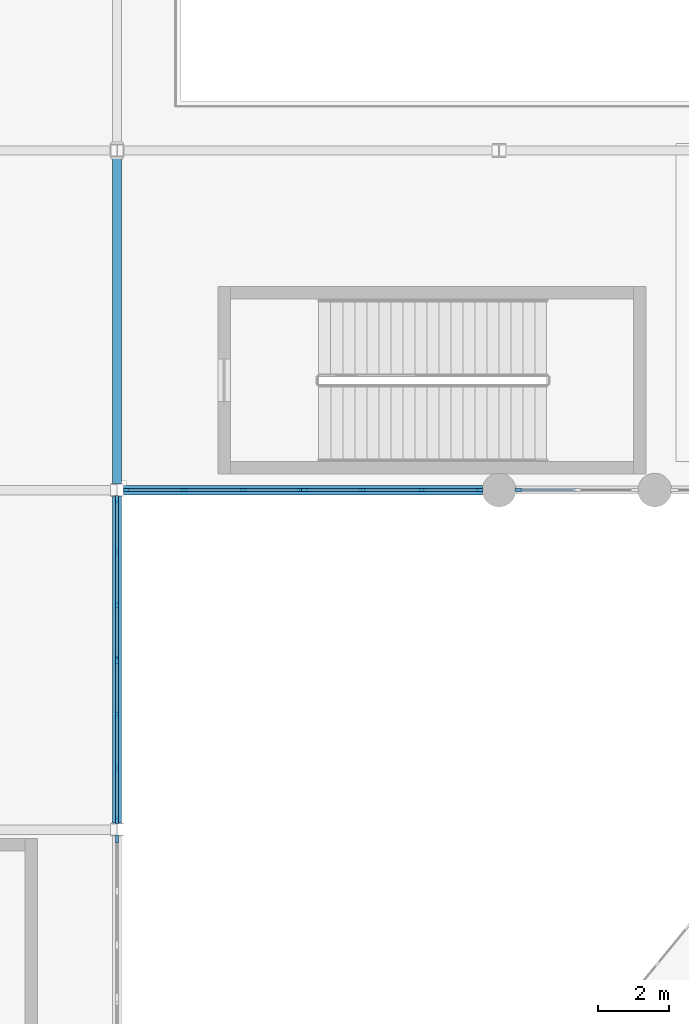
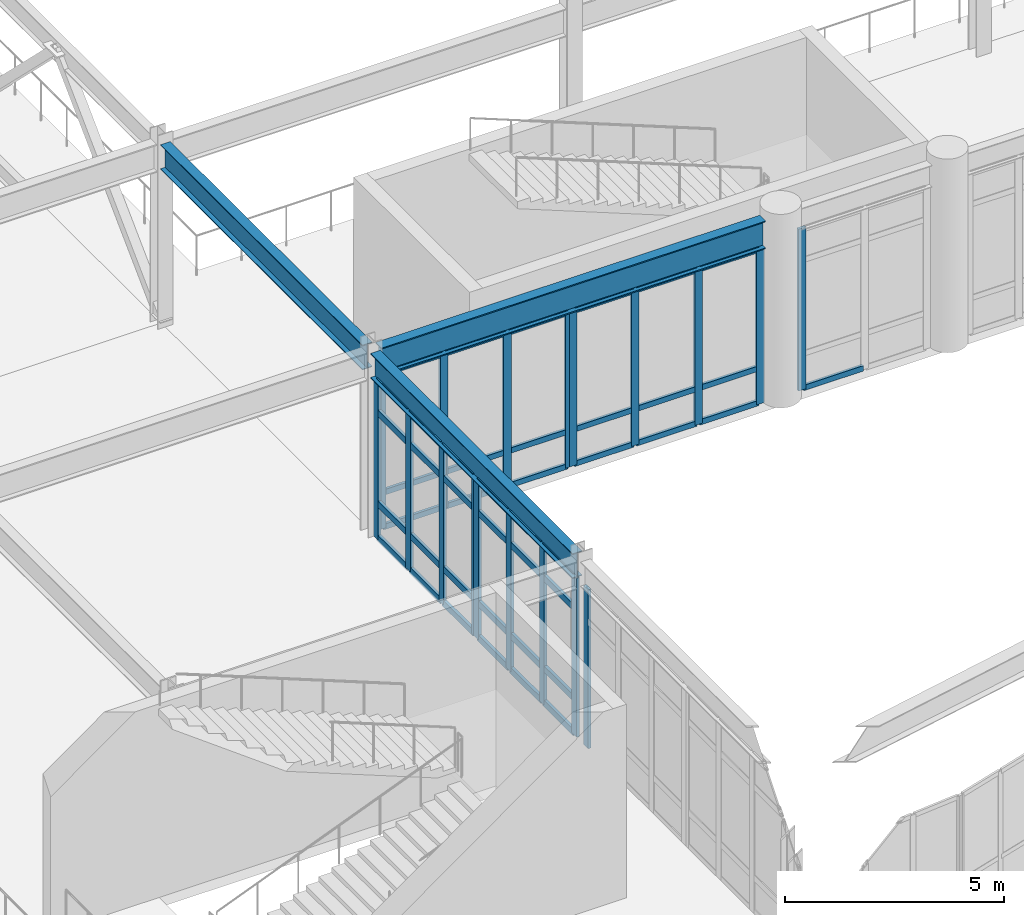
# One storey, part 24 of 72: 61 members, 3 beams, 6 elements without a shape of their own.
"""IFC4 building model written with IfcOpenShell, lengths in metres."""

from ifc_helpers import new_model, si_unit, direction, frame, origin, origin_2d, place, context, subcontext, project, spatial, rectangle, i_section, extrude, material, material_profile, profile_set, type_object, element, aggregate, save


model = new_model("IFC4")

# Units and contexts
model_context = context("Model", 3, precision=1e-05, world=origin(), true_north=direction((0.0, 1.0)))
body_context = subcontext(model_context, "Body", "Model", "MODEL_VIEW")
ifc_project = project(units=[si_unit("LENGTHUNIT", "METRE"), si_unit("AREAUNIT", "SQUARE_METRE"), si_unit("VOLUMEUNIT", "CUBIC_METRE"), si_unit("PLANEANGLEUNIT", "RADIAN"), si_unit("MASSUNIT", "GRAM", prefix="KILO")], contexts=[model_context])

# Site, building, storey
site_placement = place(None, origin())
site = spatial("IfcSite", under=ifc_project, at=site_placement, CompositionType="ELEMENT")
building_placement = place(site_placement, origin())
building = spatial("IfcBuilding", under=site, at=building_placement, Name="Veldera Park Congress Hotel", CompositionType="ELEMENT")
storey_placement = place(building_placement, frame((0.0, 0.0, 5.39990234375)))
storey = spatial("IfcBuildingStorey", under=building, at=storey_placement, Name="L01", CompositionType="ELEMENT", Elevation=5.39990234375)

# Beams
ifc_material_1 = material(Name="Steel ASTM A992 Gr.50", Category="steel")
ifc_material_profile_1 = material_profile(ifc_material_1, i_section(OverallWidth=0.256103515625, OverallDepth=0.693115234375, WebThickness=0.014404296875, FlangeThickness=0.023681640625, at=origin_2d()), Name="W27X114")
ifc_profile_set_1 = profile_set([ifc_material_profile_1], Name="Steel ASTM A992 Gr.50")
beam_type_1 = type_object("IfcBeamType", Name="BM-W27", PredefinedType="BEAM", material=ifc_profile_set_1)
beam_1_placement = place(storey_placement, frame((-1.60009765625, 7.986083984375, 4.78369140625), z_axis=(0.0, 1.0, 0.0), x_axis=(-1.0, 0.0, 0.0)))
element("IfcBeam", 1, at=beam_1_placement, inside=storey, type_object=beam_type_1, Name="L01 Girder BM-W27 703", PredefinedType="BEAM", context=body_context, shape_type="SweptSolid", body=[
    extrude(i_section(OverallWidth=0.256103515625, OverallDepth=0.693115234375, WebThickness=0.014404296875, FlangeThickness=0.023681640625, at=origin_2d()), origin(), (0.0, 0.0, 1.0), 9.22802734375),
])
beam_2_placement = place(storey_placement, frame((-1.60009765625, 17.5859375, 4.78369140625), z_axis=(0.0, 1.0, 0.0), x_axis=(-1.0, 0.0, 0.0)))
element("IfcBeam", 2, at=beam_2_placement, inside=storey, type_object=beam_type_1, Name="L01 Girder BM-W27 704", PredefinedType="BEAM", context=body_context, shape_type="SweptSolid", body=[
    extrude(i_section(OverallWidth=0.256103515625, OverallDepth=0.693115234375, WebThickness=0.014404296875, FlangeThickness=0.023681640625, at=origin_2d()), origin(), (0.0, 0.0, 1.0), 9.2265625),
])
ifc_material_profile_2 = material_profile(ifc_material_1, i_section(OverallWidth=0.26708984375, OverallDepth=0.779052734375, WebThickness=0.0166015625, FlangeThickness=0.030029296875, at=origin_2d()), Name="W30X148")
ifc_profile_set_2 = profile_set([ifc_material_profile_2], Name="Steel ASTM A992 Gr.50")
beam_type_2 = type_object("IfcBeamType", Name="BM-W30", PredefinedType="BEAM", material=ifc_profile_set_2)
beam_3_placement = place(storey_placement, frame((-1.4130859375, 17.39990234375, 4.740478515625), z_axis=(1.0, 0.0, 0.0), x_axis=(0.0, 1.0, 0.0)))
element("IfcBeam", 3, at=beam_3_placement, inside=storey, type_object=beam_type_2, Name="L01 Girder BM-W30 599", PredefinedType="BEAM", context=body_context, shape_type="SweptSolid", body=[
    extrude(i_section(OverallWidth=0.26708984375, OverallDepth=0.779052734375, WebThickness=0.0166015625, FlangeThickness=0.030029296875, at=origin_2d()), origin(), (0.0, 0.0, 1.0), 10.13818359375),
])

# Curtain wall, members
ifc_material_2 = material(Name="Low-E Triple Insulating Glass Unit (SHGC 0.22)", Category="glass")
curtain_wall_type = type_object("IfcCurtainWallType", Name="CW-POD", PredefinedType="NOTDEFINED", material=ifc_material_2)
curtain_wall_1_placement = place(storey_placement, origin())
curtain_wall_1 = element("IfcCurtainWall", 4, at=curtain_wall_1_placement, inside=storey, type_object=curtain_wall_type, Name="L01 Curtain Wall CW3-V2S-L01-029", PredefinedType="NOTDEFINED")
ifc_material_3 = material(Name="Anodised Aluminium Alloy 6063-T6", Category="aluminium")
ifc_material_profile_3 = material_profile(ifc_material_3, rectangle(XDim=0.074951171875, YDim=0.199951171875, at=origin_2d()), Name="ALU 75x200")
ifc_profile_set_3 = profile_set([ifc_material_profile_3], Name="Anodised Aluminium Alloy 6063-T6")
member_type_1 = type_object("IfcMemberType", Name="CWM-200", PredefinedType="MULLION", material=ifc_profile_set_3)
member_1_placement = place(storey_placement, frame((-1.33544921875, 17.39990234375, 0.0), z_axis=(0.0, 0.0, 1.0), x_axis=(0.0, 1.0, 0.0)))
member_1 = element("IfcMember", 5, at=member_1_placement, type_object=member_type_1, Name="CW-POD mullion 1", PredefinedType="MULLION", context=body_context, shape_type="SweptSolid", body=[
    extrude(rectangle(XDim=0.074951171875, YDim=0.199951171875, at=origin_2d()), origin(), (0.0, 0.0, 1.0), 4.34619140625),
])
member_2_placement = place(storey_placement, frame((0.29833984375, 17.39990234375, 0.0), z_axis=(0.0, 0.0, 1.0), x_axis=(0.0, 1.0, 0.0)))
member_2 = element("IfcMember", 6, at=member_2_placement, type_object=member_type_1, Name="CW-POD mullion 2", PredefinedType="MULLION", context=body_context, shape_type="SweptSolid", body=[
    extrude(rectangle(XDim=0.074951171875, YDim=0.199951171875, at=origin_2d()), origin(), (0.0, 0.0, 1.0), 4.34619140625),
])
member_3_placement = place(storey_placement, frame((1.9697265625, 17.39990234375, 0.0), z_axis=(0.0, 0.0, 1.0), x_axis=(0.0, 1.0, 0.0)))
member_3 = element("IfcMember", 7, at=member_3_placement, type_object=member_type_1, Name="CW-POD mullion 3", PredefinedType="MULLION", context=body_context, shape_type="SweptSolid", body=[
    extrude(rectangle(XDim=0.074951171875, YDim=0.199951171875, at=origin_2d()), origin(), (0.0, 0.0, 1.0), 4.34619140625),
])
member_4_placement = place(storey_placement, frame((3.603515625, 17.39990234375, 0.0), z_axis=(0.0, 0.0, 1.0), x_axis=(0.0, 1.0, 0.0)))
member_4 = element("IfcMember", 8, at=member_4_placement, type_object=member_type_1, Name="CW-POD mullion 4", PredefinedType="MULLION", context=body_context, shape_type="SweptSolid", body=[
    extrude(rectangle(XDim=0.074951171875, YDim=0.199951171875, at=origin_2d()), origin(), (0.0, 0.0, 1.0), 4.34619140625),
])

curtain_wall_2_placement = place(storey_placement, origin())
curtain_wall_2 = element("IfcCurtainWall", 9, at=curtain_wall_2_placement, inside=storey, type_object=curtain_wall_type, Name="L01 Curtain Wall CW3-V2S-L01-030", PredefinedType="NOTDEFINED")
member_5_placement = place(storey_placement, frame((3.70849609375, 17.39990234375, 0.0), z_axis=(0.0, 0.0, 1.0), x_axis=(0.0, 1.0, 0.0)))
member_5 = element("IfcMember", 10, at=member_5_placement, type_object=member_type_1, Name="CW-POD mullion 1", PredefinedType="MULLION", context=body_context, shape_type="SweptSolid", body=[
    extrude(rectangle(XDim=0.074951171875, YDim=0.199951171875, at=origin_2d()), origin(), (0.0, 0.0, 1.0), 4.34619140625),
])
member_6_placement = place(storey_placement, frame((5.34228515625, 17.39990234375, 0.0), z_axis=(0.0, 0.0, 1.0), x_axis=(0.0, 1.0, 0.0)))
member_6 = element("IfcMember", 11, at=member_6_placement, type_object=member_type_1, Name="CW-POD mullion 2", PredefinedType="MULLION", context=body_context, shape_type="SweptSolid", body=[
    extrude(rectangle(XDim=0.074951171875, YDim=0.199951171875, at=origin_2d()), origin(), (0.0, 0.0, 1.0), 4.34619140625),
])
member_7_placement = place(storey_placement, frame((7.013671875, 17.39990234375, 0.0), z_axis=(0.0, 0.0, 1.0), x_axis=(0.0, 1.0, 0.0)))
member_7 = element("IfcMember", 12, at=member_7_placement, type_object=member_type_1, Name="CW-POD mullion 3", PredefinedType="MULLION", context=body_context, shape_type="SweptSolid", body=[
    extrude(rectangle(XDim=0.074951171875, YDim=0.199951171875, at=origin_2d()), origin(), (0.0, 0.0, 1.0), 4.34619140625),
])
member_8_placement = place(storey_placement, frame((8.6474609375, 17.39990234375, 0.0), z_axis=(0.0, 0.0, 1.0), x_axis=(0.0, 1.0, 0.0)))
member_8 = element("IfcMember", 13, at=member_8_placement, type_object=member_type_1, Name="CW-POD mullion 4", PredefinedType="MULLION", context=body_context, shape_type="SweptSolid", body=[
    extrude(rectangle(XDim=0.074951171875, YDim=0.199951171875, at=origin_2d()), origin(), (0.0, 0.0, 1.0), 4.34619140625),
])

# Curtain wall, member
curtain_wall_3_placement = place(storey_placement, origin())
curtain_wall_3 = element("IfcCurtainWall", 14, at=curtain_wall_3_placement, inside=storey, type_object=curtain_wall_type, Name="L01 Curtain Wall CW3-V2S-L01-031", PredefinedType="NOTDEFINED")
member_9_placement = place(storey_placement, frame((9.75244140625, 17.39990234375, 0.0), z_axis=(0.0, 0.0, 1.0), x_axis=(0.0, 1.0, 0.0)))
member_9 = element("IfcMember", 15, at=member_9_placement, type_object=member_type_1, Name="CW-POD mullion 1", PredefinedType="MULLION", context=body_context, shape_type="SweptSolid", body=[
    extrude(rectangle(XDim=0.074951171875, YDim=0.199951171875, at=origin_2d()), origin(), (0.0, 0.0, 1.0), 4.51318359375),
])

curtain_wall_4_placement = place(storey_placement, origin())
curtain_wall_4 = element("IfcCurtainWall", 16, at=curtain_wall_4_placement, inside=storey, type_object=curtain_wall_type, Name="L01 Curtain Wall CW3-V1E-L01-026", PredefinedType="NOTDEFINED")
ifc_material_profile_4 = material_profile(ifc_material_3, rectangle(XDim=0.080078125, YDim=0.219970703125, at=origin_2d()), Name="ALU 80x220")
ifc_profile_set_4 = profile_set([ifc_material_profile_4], Name="Anodised Aluminium Alloy 6063-T6")
member_type_2 = type_object("IfcMemberType", Name="CWM-220", PredefinedType="MULLION", material=ifc_profile_set_4)
member_10_placement = place(storey_placement, frame((-1.60009765625, 7.533935546875, 0.0), z_axis=(0.0, 0.0, 1.0), x_axis=(-1.0, 0.0, 0.0)))
member_10 = element("IfcMember", 17, at=member_10_placement, type_object=member_type_2, Name="CW-POD mullion 4", PredefinedType="MULLION", context=body_context, shape_type="SweptSolid", body=[
    extrude(rectangle(XDim=0.080078125, YDim=0.219970703125, at=origin_2d()), origin(), (0.0, 0.0, 1.0), 4.43212890625),
])
aggregate(curtain_wall_4, [member_10])

# Curtain wall, members
curtain_wall_5_placement = place(storey_placement, origin())
curtain_wall_5 = element("IfcCurtainWall", 18, at=curtain_wall_5_placement, inside=storey, type_object=curtain_wall_type, Name="L01 Curtain Wall CW3-V1E-L01-027", PredefinedType="NOTDEFINED")
member_11_placement = place(storey_placement, frame((-1.60009765625, 8.06591796875, 0.0), z_axis=(0.0, 0.0, 1.0), x_axis=(-1.0, 0.0, 0.0)))
member_11 = element("IfcMember", 19, at=member_11_placement, type_object=member_type_2, Name="CW-POD mullion 1", PredefinedType="MULLION", context=body_context, shape_type="SweptSolid", body=[
    extrude(rectangle(XDim=0.080078125, YDim=0.219970703125, at=origin_2d()), origin(), (0.0, 0.0, 1.0), 4.43212890625),
])
member_12_placement = place(storey_placement, frame((-1.60009765625, 9.545654296875, 0.0), z_axis=(0.0, 0.0, 1.0), x_axis=(-1.0, 0.0, 0.0)))
member_12 = element("IfcMember", 20, at=member_12_placement, type_object=member_type_2, Name="CW-POD mullion 2", PredefinedType="MULLION", context=body_context, shape_type="SweptSolid", body=[
    extrude(rectangle(XDim=0.080078125, YDim=0.219970703125, at=origin_2d()), origin(), (0.0, 0.0, 1.0), 4.43212890625),
])
member_13_placement = place(storey_placement, frame((-1.60009765625, 11.0654296875, 0.0), z_axis=(0.0, 0.0, 1.0), x_axis=(-1.0, 0.0, 0.0)))
member_13 = element("IfcMember", 21, at=member_13_placement, type_object=member_type_2, Name="CW-POD mullion 3", PredefinedType="MULLION", context=body_context, shape_type="SweptSolid", body=[
    extrude(rectangle(XDim=0.080078125, YDim=0.219970703125, at=origin_2d()), origin(), (0.0, 0.0, 1.0), 4.43212890625),
])
member_14_placement = place(storey_placement, frame((-1.60009765625, 12.544921875, 0.0), z_axis=(0.0, 0.0, 1.0), x_axis=(-1.0, 0.0, 0.0)))
member_14 = element("IfcMember", 22, at=member_14_placement, type_object=member_type_2, Name="CW-POD mullion 4", PredefinedType="MULLION", context=body_context, shape_type="SweptSolid", body=[
    extrude(rectangle(XDim=0.080078125, YDim=0.219970703125, at=origin_2d()), origin(), (0.0, 0.0, 1.0), 4.43212890625),
])

curtain_wall_6_placement = place(storey_placement, origin())
curtain_wall_6 = element("IfcCurtainWall", 23, at=curtain_wall_6_placement, inside=storey, type_object=curtain_wall_type, Name="L01 Curtain Wall CW3-V1E-L01-028", PredefinedType="NOTDEFINED")
member_15_placement = place(storey_placement, frame((-1.60009765625, 12.655029296875, 0.0), z_axis=(0.0, 0.0, 1.0), x_axis=(-1.0, 0.0, 0.0)))
member_15 = element("IfcMember", 24, at=member_15_placement, type_object=member_type_2, Name="CW-POD mullion 1", PredefinedType="MULLION", context=body_context, shape_type="SweptSolid", body=[
    extrude(rectangle(XDim=0.080078125, YDim=0.219970703125, at=origin_2d()), origin(), (0.0, 0.0, 1.0), 4.43212890625),
])
member_16_placement = place(storey_placement, frame((-1.60009765625, 14.134765625, 0.0), z_axis=(0.0, 0.0, 1.0), x_axis=(-1.0, 0.0, 0.0)))
member_16 = element("IfcMember", 25, at=member_16_placement, type_object=member_type_2, Name="CW-POD mullion 2", PredefinedType="MULLION", context=body_context, shape_type="SweptSolid", body=[
    extrude(rectangle(XDim=0.080078125, YDim=0.219970703125, at=origin_2d()), origin(), (0.0, 0.0, 1.0), 4.43212890625),
])
member_17_placement = place(storey_placement, frame((-1.60009765625, 15.654296875, 0.0), z_axis=(0.0, 0.0, 1.0), x_axis=(-1.0, 0.0, 0.0)))
member_17 = element("IfcMember", 26, at=member_17_placement, type_object=member_type_2, Name="CW-POD mullion 3", PredefinedType="MULLION", context=body_context, shape_type="SweptSolid", body=[
    extrude(rectangle(XDim=0.080078125, YDim=0.219970703125, at=origin_2d()), origin(), (0.0, 0.0, 1.0), 4.43212890625),
])
member_18_placement = place(storey_placement, frame((-1.60009765625, 17.134033203125, 0.0), z_axis=(0.0, 0.0, 1.0), x_axis=(-1.0, 0.0, 0.0)))
member_18 = element("IfcMember", 27, at=member_18_placement, type_object=member_type_2, Name="CW-POD mullion 4", PredefinedType="MULLION", context=body_context, shape_type="SweptSolid", body=[
    extrude(rectangle(XDim=0.080078125, YDim=0.219970703125, at=origin_2d()), origin(), (0.0, 0.0, 1.0), 4.43212890625),
])

# Member
ifc_material_profile_5 = material_profile(ifc_material_3, rectangle(XDim=0.074951171875, YDim=0.14990234375, at=origin_2d()), Name="ALU 75x150")
ifc_profile_set_5 = profile_set([ifc_material_profile_5], Name="Anodised Aluminium Alloy 6063-T6")
member_type_3 = type_object("IfcMemberType", Name="CWT-150", PredefinedType="USERDEFINED", material=ifc_profile_set_5)
member_19_placement = place(storey_placement, frame((-1.298095703125, 17.39990234375, 0.03759765625), z_axis=(1.0, 0.0, 0.0), x_axis=(0.0, 1.0, 0.0)))
member_19 = element("IfcMember", 28, at=member_19_placement, type_object=member_type_3, Name="CW-POD transom 1.1", ObjectType="TRANSOM", PredefinedType="USERDEFINED", context=body_context, shape_type="SweptSolid", body=[
    extrude(rectangle(XDim=0.074951171875, YDim=0.14990234375, at=origin_2d()), origin(), (0.0, 0.0, 1.0), 1.558837890625),
])

member_20_placement = place(storey_placement, frame((-1.298095703125, 17.39990234375, 1.0), z_axis=(1.0, 0.0, 0.0), x_axis=(0.0, 1.0, 0.0)))
member_20 = element("IfcMember", 29, at=member_20_placement, type_object=member_type_3, Name="CW-POD transom 1.2", ObjectType="TRANSOM", PredefinedType="USERDEFINED", context=body_context, shape_type="SweptSolid", body=[
    extrude(rectangle(XDim=0.074951171875, YDim=0.14990234375, at=origin_2d()), origin(), (0.0, 0.0, 1.0), 1.558837890625),
])

member_21_placement = place(storey_placement, frame((-1.298095703125, 17.39990234375, 4.30859375), z_axis=(1.0, 0.0, 0.0), x_axis=(0.0, 1.0, 0.0)))
member_21 = element("IfcMember", 30, at=member_21_placement, type_object=member_type_3, Name="CW-POD transom 1.3", ObjectType="TRANSOM", PredefinedType="USERDEFINED", context=body_context, shape_type="SweptSolid", body=[
    extrude(rectangle(XDim=0.074951171875, YDim=0.14990234375, at=origin_2d()), origin(), (0.0, 0.0, 1.0), 1.558837890625),
])

member_22_placement = place(storey_placement, frame((0.3359375, 17.39990234375, 0.03759765625), z_axis=(1.0, 0.0, 0.0), x_axis=(0.0, 1.0, 0.0)))
member_22 = element("IfcMember", 31, at=member_22_placement, type_object=member_type_3, Name="CW-POD transom 2.1", ObjectType="TRANSOM", PredefinedType="USERDEFINED", context=body_context, shape_type="SweptSolid", body=[
    extrude(rectangle(XDim=0.074951171875, YDim=0.14990234375, at=origin_2d()), origin(), (0.0, 0.0, 1.0), 1.59619140625),
])

member_23_placement = place(storey_placement, frame((0.3359375, 17.39990234375, 1.0), z_axis=(1.0, 0.0, 0.0), x_axis=(0.0, 1.0, 0.0)))
member_23 = element("IfcMember", 32, at=member_23_placement, type_object=member_type_3, Name="CW-POD transom 2.2", ObjectType="TRANSOM", PredefinedType="USERDEFINED", context=body_context, shape_type="SweptSolid", body=[
    extrude(rectangle(XDim=0.074951171875, YDim=0.14990234375, at=origin_2d()), origin(), (0.0, 0.0, 1.0), 1.59619140625),
])

member_24_placement = place(storey_placement, frame((0.3359375, 17.39990234375, 4.30859375), z_axis=(1.0, 0.0, 0.0), x_axis=(0.0, 1.0, 0.0)))
member_24 = element("IfcMember", 33, at=member_24_placement, type_object=member_type_3, Name="CW-POD transom 2.3", ObjectType="TRANSOM", PredefinedType="USERDEFINED", context=body_context, shape_type="SweptSolid", body=[
    extrude(rectangle(XDim=0.074951171875, YDim=0.14990234375, at=origin_2d()), origin(), (0.0, 0.0, 1.0), 1.59619140625),
])

member_25_placement = place(storey_placement, frame((2.007080078125, 17.39990234375, 0.03759765625), z_axis=(1.0, 0.0, 0.0), x_axis=(0.0, 1.0, 0.0)))
member_25 = element("IfcMember", 34, at=member_25_placement, type_object=member_type_3, Name="CW-POD transom 3.1", ObjectType="TRANSOM", PredefinedType="USERDEFINED", context=body_context, shape_type="SweptSolid", body=[
    extrude(rectangle(XDim=0.074951171875, YDim=0.14990234375, at=origin_2d()), origin(), (0.0, 0.0, 1.0), 1.558837890625),
])

member_26_placement = place(storey_placement, frame((2.007080078125, 17.39990234375, 1.0), z_axis=(1.0, 0.0, 0.0), x_axis=(0.0, 1.0, 0.0)))
member_26 = element("IfcMember", 35, at=member_26_placement, type_object=member_type_3, Name="CW-POD transom 3.2", ObjectType="TRANSOM", PredefinedType="USERDEFINED", context=body_context, shape_type="SweptSolid", body=[
    extrude(rectangle(XDim=0.074951171875, YDim=0.14990234375, at=origin_2d()), origin(), (0.0, 0.0, 1.0), 1.558837890625),
])

member_27_placement = place(storey_placement, frame((2.007080078125, 17.39990234375, 4.30859375), z_axis=(1.0, 0.0, 0.0), x_axis=(0.0, 1.0, 0.0)))
member_27 = element("IfcMember", 36, at=member_27_placement, type_object=member_type_3, Name="CW-POD transom 3.3", ObjectType="TRANSOM", PredefinedType="USERDEFINED", context=body_context, shape_type="SweptSolid", body=[
    extrude(rectangle(XDim=0.074951171875, YDim=0.14990234375, at=origin_2d()), origin(), (0.0, 0.0, 1.0), 1.558837890625),
])

aggregate(curtain_wall_1, [member_1, member_2, member_3, member_4, member_19, member_20, member_21, member_22, member_23, member_24, member_25, member_26, member_27])

member_28_placement = place(storey_placement, frame((3.74609375, 17.39990234375, 0.03759765625), z_axis=(1.0, 0.0, 0.0), x_axis=(0.0, 1.0, 0.0)))
member_28 = element("IfcMember", 37, at=member_28_placement, type_object=member_type_3, Name="CW-POD transom 1.1", ObjectType="TRANSOM", PredefinedType="USERDEFINED", context=body_context, shape_type="SweptSolid", body=[
    extrude(rectangle(XDim=0.074951171875, YDim=0.14990234375, at=origin_2d()), origin(), (0.0, 0.0, 1.0), 1.558837890625),
])

member_29_placement = place(storey_placement, frame((3.74609375, 17.39990234375, 1.0), z_axis=(1.0, 0.0, 0.0), x_axis=(0.0, 1.0, 0.0)))
member_29 = element("IfcMember", 38, at=member_29_placement, type_object=member_type_3, Name="CW-POD transom 1.2", ObjectType="TRANSOM", PredefinedType="USERDEFINED", context=body_context, shape_type="SweptSolid", body=[
    extrude(rectangle(XDim=0.074951171875, YDim=0.14990234375, at=origin_2d()), origin(), (0.0, 0.0, 1.0), 1.558837890625),
])

member_30_placement = place(storey_placement, frame((3.74609375, 17.39990234375, 4.30859375), z_axis=(1.0, 0.0, 0.0), x_axis=(0.0, 1.0, 0.0)))
member_30 = element("IfcMember", 39, at=member_30_placement, type_object=member_type_3, Name="CW-POD transom 1.3", ObjectType="TRANSOM", PredefinedType="USERDEFINED", context=body_context, shape_type="SweptSolid", body=[
    extrude(rectangle(XDim=0.074951171875, YDim=0.14990234375, at=origin_2d()), origin(), (0.0, 0.0, 1.0), 1.558837890625),
])

member_31_placement = place(storey_placement, frame((5.3798828125, 17.39990234375, 0.03759765625), z_axis=(1.0, 0.0, 0.0), x_axis=(0.0, 1.0, 0.0)))
member_31 = element("IfcMember", 40, at=member_31_placement, type_object=member_type_3, Name="CW-POD transom 2.1", ObjectType="TRANSOM", PredefinedType="USERDEFINED", context=body_context, shape_type="SweptSolid", body=[
    extrude(rectangle(XDim=0.074951171875, YDim=0.14990234375, at=origin_2d()), origin(), (0.0, 0.0, 1.0), 1.59619140625),
])

member_32_placement = place(storey_placement, frame((5.3798828125, 17.39990234375, 1.0), z_axis=(1.0, 0.0, 0.0), x_axis=(0.0, 1.0, 0.0)))
member_32 = element("IfcMember", 41, at=member_32_placement, type_object=member_type_3, Name="CW-POD transom 2.2", ObjectType="TRANSOM", PredefinedType="USERDEFINED", context=body_context, shape_type="SweptSolid", body=[
    extrude(rectangle(XDim=0.074951171875, YDim=0.14990234375, at=origin_2d()), origin(), (0.0, 0.0, 1.0), 1.59619140625),
])

member_33_placement = place(storey_placement, frame((5.3798828125, 17.39990234375, 4.30859375), z_axis=(1.0, 0.0, 0.0), x_axis=(0.0, 1.0, 0.0)))
member_33 = element("IfcMember", 42, at=member_33_placement, type_object=member_type_3, Name="CW-POD transom 2.3", ObjectType="TRANSOM", PredefinedType="USERDEFINED", context=body_context, shape_type="SweptSolid", body=[
    extrude(rectangle(XDim=0.074951171875, YDim=0.14990234375, at=origin_2d()), origin(), (0.0, 0.0, 1.0), 1.59619140625),
])

member_34_placement = place(storey_placement, frame((7.05126953125, 17.39990234375, 0.03759765625), z_axis=(1.0, 0.0, 0.0), x_axis=(0.0, 1.0, 0.0)))
member_34 = element("IfcMember", 43, at=member_34_placement, type_object=member_type_3, Name="CW-POD transom 3.1", ObjectType="TRANSOM", PredefinedType="USERDEFINED", context=body_context, shape_type="SweptSolid", body=[
    extrude(rectangle(XDim=0.074951171875, YDim=0.14990234375, at=origin_2d()), origin(), (0.0, 0.0, 1.0), 1.558837890625),
])

member_35_placement = place(storey_placement, frame((7.05126953125, 17.39990234375, 1.0), z_axis=(1.0, 0.0, 0.0), x_axis=(0.0, 1.0, 0.0)))
member_35 = element("IfcMember", 44, at=member_35_placement, type_object=member_type_3, Name="CW-POD transom 3.2", ObjectType="TRANSOM", PredefinedType="USERDEFINED", context=body_context, shape_type="SweptSolid", body=[
    extrude(rectangle(XDim=0.074951171875, YDim=0.14990234375, at=origin_2d()), origin(), (0.0, 0.0, 1.0), 1.558837890625),
])

member_36_placement = place(storey_placement, frame((7.05126953125, 17.39990234375, 4.30859375), z_axis=(1.0, 0.0, 0.0), x_axis=(0.0, 1.0, 0.0)))
member_36 = element("IfcMember", 45, at=member_36_placement, type_object=member_type_3, Name="CW-POD transom 3.3", ObjectType="TRANSOM", PredefinedType="USERDEFINED", context=body_context, shape_type="SweptSolid", body=[
    extrude(rectangle(XDim=0.074951171875, YDim=0.14990234375, at=origin_2d()), origin(), (0.0, 0.0, 1.0), 1.558837890625),
])

aggregate(curtain_wall_2, [member_5, member_6, member_7, member_8, member_28, member_29, member_30, member_31, member_32, member_33, member_34, member_35, member_36])

member_37_placement = place(storey_placement, frame((9.7900390625, 17.39990234375, 0.03759765625), z_axis=(1.0, 0.0, 0.0), x_axis=(0.0, 1.0, 0.0)))
member_37 = element("IfcMember", 46, at=member_37_placement, type_object=member_type_3, Name="CW-POD transom 1.1", ObjectType="TRANSOM", PredefinedType="USERDEFINED", context=body_context, shape_type="SweptSolid", body=[
    extrude(rectangle(XDim=0.074951171875, YDim=0.14990234375, at=origin_2d()), origin(), (0.0, 0.0, 1.0), 1.572509765625),
])

aggregate(curtain_wall_3, [member_9, member_37])

ifc_material_profile_6 = material_profile(ifc_material_3, rectangle(XDim=0.080078125, YDim=0.179931640625, at=origin_2d()), Name="ALU 80x180")
ifc_profile_set_6 = profile_set([ifc_material_profile_6], Name="Anodised Aluminium Alloy 6063-T6")
member_type_4 = type_object("IfcMemberType", Name="CWT-180", PredefinedType="USERDEFINED", material=ifc_profile_set_6)
member_38_placement = place(storey_placement, frame((-1.60009765625, 8.10595703125, 0.0400390625), z_axis=(0.0, 1.0, 0.0), x_axis=(-1.0, 0.0, 0.0)))
member_38 = element("IfcMember", 47, at=member_38_placement, type_object=member_type_4, Name="CW-POD transom 1.1", ObjectType="TRANSOM", PredefinedType="USERDEFINED", context=body_context, shape_type="SweptSolid", body=[
    extrude(rectangle(XDim=0.080078125, YDim=0.179931640625, at=origin_2d()), origin(), (0.0, 0.0, 1.0), 1.399658203125),
])

member_39_placement = place(storey_placement, frame((-1.60009765625, 8.10595703125, 1.0), z_axis=(0.0, 1.0, 0.0), x_axis=(-1.0, 0.0, 0.0)))
member_39 = element("IfcMember", 48, at=member_39_placement, type_object=member_type_4, Name="CW-POD transom 1.2", ObjectType="TRANSOM", PredefinedType="USERDEFINED", context=body_context, shape_type="SweptSolid", body=[
    extrude(rectangle(XDim=0.080078125, YDim=0.179931640625, at=origin_2d()), origin(), (0.0, 0.0, 1.0), 1.399658203125),
])

member_40_placement = place(storey_placement, frame((-1.60009765625, 8.10595703125, 3.531982421875), z_axis=(0.0, 1.0, 0.0), x_axis=(-1.0, 0.0, 0.0)))
member_40 = element("IfcMember", 49, at=member_40_placement, type_object=member_type_4, Name="CW-POD transom 1.3", ObjectType="TRANSOM", PredefinedType="USERDEFINED", context=body_context, shape_type="SweptSolid", body=[
    extrude(rectangle(XDim=0.080078125, YDim=0.179931640625, at=origin_2d()), origin(), (0.0, 0.0, 1.0), 1.399658203125),
])

member_41_placement = place(storey_placement, frame((-1.60009765625, 8.10595703125, 4.39208984375), z_axis=(0.0, 1.0, 0.0), x_axis=(-1.0, 0.0, 0.0)))
member_41 = element("IfcMember", 50, at=member_41_placement, type_object=member_type_4, Name="CW-POD transom 1.4", ObjectType="TRANSOM", PredefinedType="USERDEFINED", context=body_context, shape_type="SweptSolid", body=[
    extrude(rectangle(XDim=0.080078125, YDim=0.179931640625, at=origin_2d()), origin(), (0.0, 0.0, 1.0), 1.399658203125),
])

member_42_placement = place(storey_placement, frame((-1.60009765625, 9.585693359375, 0.0400390625), z_axis=(0.0, 1.0, 0.0), x_axis=(-1.0, 0.0, 0.0)))
member_42 = element("IfcMember", 51, at=member_42_placement, type_object=member_type_4, Name="CW-POD transom 2.1", ObjectType="TRANSOM", PredefinedType="USERDEFINED", context=body_context, shape_type="SweptSolid", body=[
    extrude(rectangle(XDim=0.080078125, YDim=0.179931640625, at=origin_2d()), origin(), (0.0, 0.0, 1.0), 1.439697265625),
])

member_43_placement = place(storey_placement, frame((-1.60009765625, 9.585693359375, 1.0), z_axis=(0.0, 1.0, 0.0), x_axis=(-1.0, 0.0, 0.0)))
member_43 = element("IfcMember", 52, at=member_43_placement, type_object=member_type_4, Name="CW-POD transom 2.2", ObjectType="TRANSOM", PredefinedType="USERDEFINED", context=body_context, shape_type="SweptSolid", body=[
    extrude(rectangle(XDim=0.080078125, YDim=0.179931640625, at=origin_2d()), origin(), (0.0, 0.0, 1.0), 1.439697265625),
])

member_44_placement = place(storey_placement, frame((-1.60009765625, 9.585693359375, 3.531982421875), z_axis=(0.0, 1.0, 0.0), x_axis=(-1.0, 0.0, 0.0)))
member_44 = element("IfcMember", 53, at=member_44_placement, type_object=member_type_4, Name="CW-POD transom 2.3", ObjectType="TRANSOM", PredefinedType="USERDEFINED", context=body_context, shape_type="SweptSolid", body=[
    extrude(rectangle(XDim=0.080078125, YDim=0.179931640625, at=origin_2d()), origin(), (0.0, 0.0, 1.0), 1.439697265625),
])

member_45_placement = place(storey_placement, frame((-1.60009765625, 9.585693359375, 4.39208984375), z_axis=(0.0, 1.0, 0.0), x_axis=(-1.0, 0.0, 0.0)))
member_45 = element("IfcMember", 54, at=member_45_placement, type_object=member_type_4, Name="CW-POD transom 2.4", ObjectType="TRANSOM", PredefinedType="USERDEFINED", context=body_context, shape_type="SweptSolid", body=[
    extrude(rectangle(XDim=0.080078125, YDim=0.179931640625, at=origin_2d()), origin(), (0.0, 0.0, 1.0), 1.439697265625),
])

member_46_placement = place(storey_placement, frame((-1.60009765625, 11.105224609375, 0.0400390625), z_axis=(0.0, 1.0, 0.0), x_axis=(-1.0, 0.0, 0.0)))
member_46 = element("IfcMember", 55, at=member_46_placement, type_object=member_type_4, Name="CW-POD transom 3.1", ObjectType="TRANSOM", PredefinedType="USERDEFINED", context=body_context, shape_type="SweptSolid", body=[
    extrude(rectangle(XDim=0.080078125, YDim=0.179931640625, at=origin_2d()), origin(), (0.0, 0.0, 1.0), 1.399658203125),
])

member_47_placement = place(storey_placement, frame((-1.60009765625, 11.105224609375, 1.0), z_axis=(0.0, 1.0, 0.0), x_axis=(-1.0, 0.0, 0.0)))
member_47 = element("IfcMember", 56, at=member_47_placement, type_object=member_type_4, Name="CW-POD transom 3.2", ObjectType="TRANSOM", PredefinedType="USERDEFINED", context=body_context, shape_type="SweptSolid", body=[
    extrude(rectangle(XDim=0.080078125, YDim=0.179931640625, at=origin_2d()), origin(), (0.0, 0.0, 1.0), 1.399658203125),
])

member_48_placement = place(storey_placement, frame((-1.60009765625, 11.105224609375, 3.531982421875), z_axis=(0.0, 1.0, 0.0), x_axis=(-1.0, 0.0, 0.0)))
member_48 = element("IfcMember", 57, at=member_48_placement, type_object=member_type_4, Name="CW-POD transom 3.3", ObjectType="TRANSOM", PredefinedType="USERDEFINED", context=body_context, shape_type="SweptSolid", body=[
    extrude(rectangle(XDim=0.080078125, YDim=0.179931640625, at=origin_2d()), origin(), (0.0, 0.0, 1.0), 1.399658203125),
])

member_49_placement = place(storey_placement, frame((-1.60009765625, 11.105224609375, 4.39208984375), z_axis=(0.0, 1.0, 0.0), x_axis=(-1.0, 0.0, 0.0)))
member_49 = element("IfcMember", 58, at=member_49_placement, type_object=member_type_4, Name="CW-POD transom 3.4", ObjectType="TRANSOM", PredefinedType="USERDEFINED", context=body_context, shape_type="SweptSolid", body=[
    extrude(rectangle(XDim=0.080078125, YDim=0.179931640625, at=origin_2d()), origin(), (0.0, 0.0, 1.0), 1.399658203125),
])

aggregate(curtain_wall_5, [member_11, member_12, member_13, member_14, member_38, member_39, member_40, member_41, member_42, member_43, member_44, member_45, member_46, member_47, member_48, member_49])

member_50_placement = place(storey_placement, frame((-1.60009765625, 12.695068359375, 0.0400390625), z_axis=(0.0, 1.0, 0.0), x_axis=(-1.0, 0.0, 0.0)))
member_50 = element("IfcMember", 59, at=member_50_placement, type_object=member_type_4, Name="CW-POD transom 1.1", ObjectType="TRANSOM", PredefinedType="USERDEFINED", context=body_context, shape_type="SweptSolid", body=[
    extrude(rectangle(XDim=0.080078125, YDim=0.179931640625, at=origin_2d()), origin(), (0.0, 0.0, 1.0), 1.399658203125),
])

member_51_placement = place(storey_placement, frame((-1.60009765625, 12.695068359375, 1.0), z_axis=(0.0, 1.0, 0.0), x_axis=(-1.0, 0.0, 0.0)))
member_51 = element("IfcMember", 60, at=member_51_placement, type_object=member_type_4, Name="CW-POD transom 1.2", ObjectType="TRANSOM", PredefinedType="USERDEFINED", context=body_context, shape_type="SweptSolid", body=[
    extrude(rectangle(XDim=0.080078125, YDim=0.179931640625, at=origin_2d()), origin(), (0.0, 0.0, 1.0), 1.399658203125),
])

member_52_placement = place(storey_placement, frame((-1.60009765625, 12.695068359375, 3.531982421875), z_axis=(0.0, 1.0, 0.0), x_axis=(-1.0, 0.0, 0.0)))
member_52 = element("IfcMember", 61, at=member_52_placement, type_object=member_type_4, Name="CW-POD transom 1.3", ObjectType="TRANSOM", PredefinedType="USERDEFINED", context=body_context, shape_type="SweptSolid", body=[
    extrude(rectangle(XDim=0.080078125, YDim=0.179931640625, at=origin_2d()), origin(), (0.0, 0.0, 1.0), 1.399658203125),
])

member_53_placement = place(storey_placement, frame((-1.60009765625, 12.695068359375, 4.39208984375), z_axis=(0.0, 1.0, 0.0), x_axis=(-1.0, 0.0, 0.0)))
member_53 = element("IfcMember", 62, at=member_53_placement, type_object=member_type_4, Name="CW-POD transom 1.4", ObjectType="TRANSOM", PredefinedType="USERDEFINED", context=body_context, shape_type="SweptSolid", body=[
    extrude(rectangle(XDim=0.080078125, YDim=0.179931640625, at=origin_2d()), origin(), (0.0, 0.0, 1.0), 1.399658203125),
])

member_54_placement = place(storey_placement, frame((-1.60009765625, 14.174560546875, 0.0400390625), z_axis=(0.0, 1.0, 0.0), x_axis=(-1.0, 0.0, 0.0)))
member_54 = element("IfcMember", 63, at=member_54_placement, type_object=member_type_4, Name="CW-POD transom 2.1", ObjectType="TRANSOM", PredefinedType="USERDEFINED", context=body_context, shape_type="SweptSolid", body=[
    extrude(rectangle(XDim=0.080078125, YDim=0.179931640625, at=origin_2d()), origin(), (0.0, 0.0, 1.0), 1.439697265625),
])

member_55_placement = place(storey_placement, frame((-1.60009765625, 14.174560546875, 1.0), z_axis=(0.0, 1.0, 0.0), x_axis=(-1.0, 0.0, 0.0)))
member_55 = element("IfcMember", 64, at=member_55_placement, type_object=member_type_4, Name="CW-POD transom 2.2", ObjectType="TRANSOM", PredefinedType="USERDEFINED", context=body_context, shape_type="SweptSolid", body=[
    extrude(rectangle(XDim=0.080078125, YDim=0.179931640625, at=origin_2d()), origin(), (0.0, 0.0, 1.0), 1.439697265625),
])

member_56_placement = place(storey_placement, frame((-1.60009765625, 14.174560546875, 3.531982421875), z_axis=(0.0, 1.0, 0.0), x_axis=(-1.0, 0.0, 0.0)))
member_56 = element("IfcMember", 65, at=member_56_placement, type_object=member_type_4, Name="CW-POD transom 2.3", ObjectType="TRANSOM", PredefinedType="USERDEFINED", context=body_context, shape_type="SweptSolid", body=[
    extrude(rectangle(XDim=0.080078125, YDim=0.179931640625, at=origin_2d()), origin(), (0.0, 0.0, 1.0), 1.439697265625),
])

member_57_placement = place(storey_placement, frame((-1.60009765625, 14.174560546875, 4.39208984375), z_axis=(0.0, 1.0, 0.0), x_axis=(-1.0, 0.0, 0.0)))
member_57 = element("IfcMember", 66, at=member_57_placement, type_object=member_type_4, Name="CW-POD transom 2.4", ObjectType="TRANSOM", PredefinedType="USERDEFINED", context=body_context, shape_type="SweptSolid", body=[
    extrude(rectangle(XDim=0.080078125, YDim=0.179931640625, at=origin_2d()), origin(), (0.0, 0.0, 1.0), 1.439697265625),
])

member_58_placement = place(storey_placement, frame((-1.60009765625, 15.6943359375, 0.0400390625), z_axis=(0.0, 1.0, 0.0), x_axis=(-1.0, 0.0, 0.0)))
member_58 = element("IfcMember", 67, at=member_58_placement, type_object=member_type_4, Name="CW-POD transom 3.1", ObjectType="TRANSOM", PredefinedType="USERDEFINED", context=body_context, shape_type="SweptSolid", body=[
    extrude(rectangle(XDim=0.080078125, YDim=0.179931640625, at=origin_2d()), origin(), (0.0, 0.0, 1.0), 1.399658203125),
])

member_59_placement = place(storey_placement, frame((-1.60009765625, 15.6943359375, 1.0), z_axis=(0.0, 1.0, 0.0), x_axis=(-1.0, 0.0, 0.0)))
member_59 = element("IfcMember", 68, at=member_59_placement, type_object=member_type_4, Name="CW-POD transom 3.2", ObjectType="TRANSOM", PredefinedType="USERDEFINED", context=body_context, shape_type="SweptSolid", body=[
    extrude(rectangle(XDim=0.080078125, YDim=0.179931640625, at=origin_2d()), origin(), (0.0, 0.0, 1.0), 1.399658203125),
])

member_60_placement = place(storey_placement, frame((-1.60009765625, 15.6943359375, 3.531982421875), z_axis=(0.0, 1.0, 0.0), x_axis=(-1.0, 0.0, 0.0)))
member_60 = element("IfcMember", 69, at=member_60_placement, type_object=member_type_4, Name="CW-POD transom 3.3", ObjectType="TRANSOM", PredefinedType="USERDEFINED", context=body_context, shape_type="SweptSolid", body=[
    extrude(rectangle(XDim=0.080078125, YDim=0.179931640625, at=origin_2d()), origin(), (0.0, 0.0, 1.0), 1.399658203125),
])

member_61_placement = place(storey_placement, frame((-1.60009765625, 15.6943359375, 4.39208984375), z_axis=(0.0, 1.0, 0.0), x_axis=(-1.0, 0.0, 0.0)))
member_61 = element("IfcMember", 70, at=member_61_placement, type_object=member_type_4, Name="CW-POD transom 3.4", ObjectType="TRANSOM", PredefinedType="USERDEFINED", context=body_context, shape_type="SweptSolid", body=[
    extrude(rectangle(XDim=0.080078125, YDim=0.179931640625, at=origin_2d()), origin(), (0.0, 0.0, 1.0), 1.399658203125),
])

aggregate(curtain_wall_6, [member_15, member_16, member_17, member_18, member_50, member_51, member_52, member_53, member_54, member_55, member_56, member_57, member_58, member_59, member_60, member_61])

save(model, "model.ifc")
